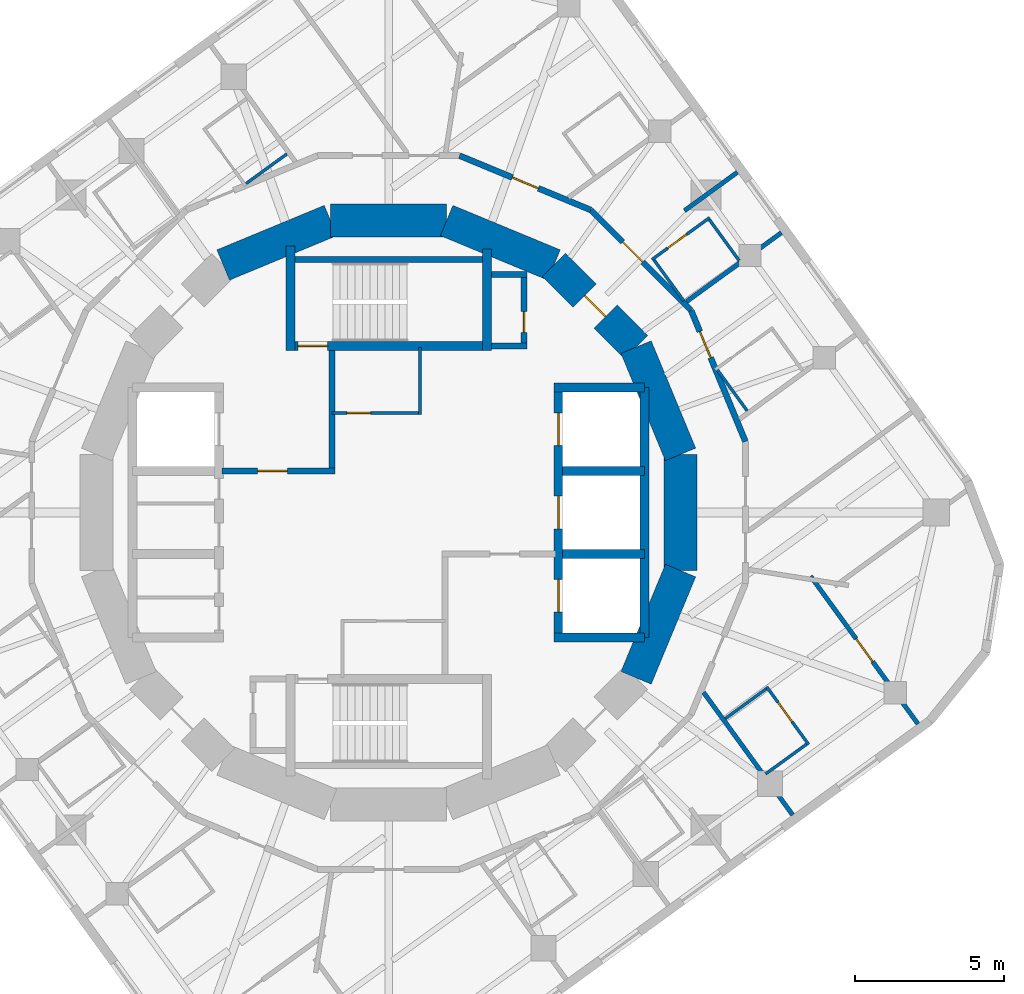
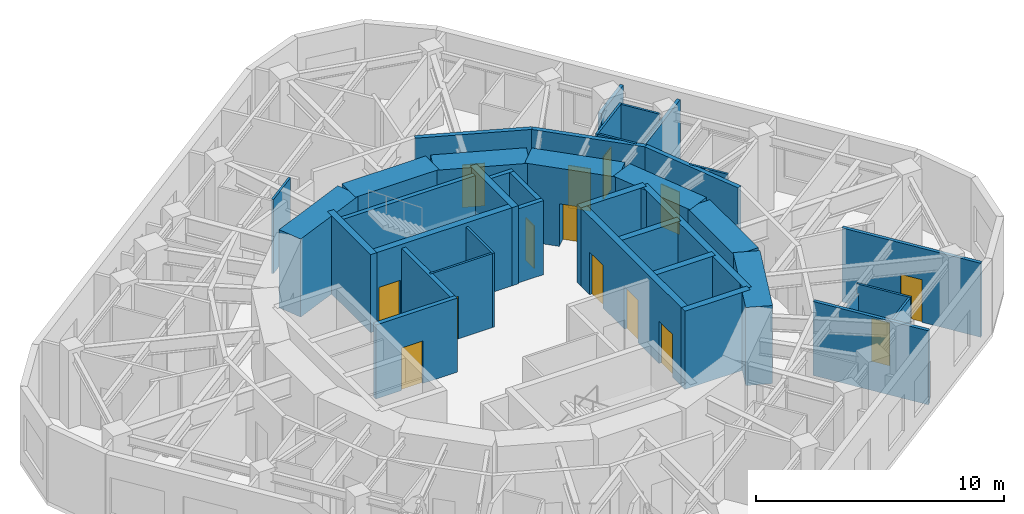
# One storey, part 6 of 9: 39 walls, 14 doors, 14 openings.
"""IFC4 building model written with IfcOpenShell, lengths in metres."""

from ifc_helpers import new_model, si_unit, direction, frame, frame_2d, origin, place, context, subcontext, project, spatial, rectangle, extrude, material, layer, layer_set, type_object, element, fill, save


model = new_model("IFC4")

# Units and contexts
model_context = context("Model", 3, precision=1e-05, world=origin(), true_north=direction((0.0, 1.0)))
body_context = subcontext(model_context, "Body", "Model", "MODEL_VIEW")
ifc_project = project(units=[si_unit("LENGTHUNIT", "METRE"), si_unit("AREAUNIT", "SQUARE_METRE"), si_unit("VOLUMEUNIT", "CUBIC_METRE"), si_unit("PLANEANGLEUNIT", "RADIAN"), si_unit("MASSUNIT", "GRAM", prefix="KILO")], contexts=[model_context])

# Site, building, storey
site_placement = place(None, origin())
site = spatial("IfcSite", under=ifc_project, at=site_placement, CompositionType="ELEMENT")
building_placement = place(site_placement, origin())
building = spatial("IfcBuilding", under=site, at=building_placement, Name="Nakasero Lantern House", CompositionType="ELEMENT")
storey_placement = place(building_placement, frame((0.0, 0.0, 283.0)))
storey = spatial("IfcBuildingStorey", under=building, at=storey_placement, Name="L69", CompositionType="ELEMENT", Elevation=283.0)

# Wall, openings, doors
ifc_material_1 = material(Name="Concrete C50/60", Category="concrete")
ifc_layer_1 = layer(ifc_material_1, 0.300048828125)
ifc_layer_set_1 = layer_set([ifc_layer_1], Name="Core inner wall 300")
wall_type_1 = type_object("IfcWallType", Name="Core inner wall 300", PredefinedType="SHEAR", material=ifc_layer_set_1)
wall_1_placement = place(storey_placement, frame((5.699951171875, -4.199951171875, 0.0), z_axis=(0.0, 0.0, 1.0), x_axis=(0.0, 1.0, 0.0)))
wall_1 = element("IfcWall", 1, at=wall_1_placement, inside=storey, type_object=wall_type_1, Name="Core inner wall L69 LE", PredefinedType="SHEAR", context=body_context, shape_type="SweptSolid", body=[
    extrude(rectangle(XDim=8.39990234375, YDim=0.300048828125, at=frame_2d((4.199951171875, 0.0))), origin(), (0.0, 0.0, 1.0), 3.85009765625),
])
opening_1_placement = place(wall_1_placement, frame((0.85009765625, 0.0, 0.0)))
opening_1 = element("IfcOpeningElement", 2, at=opening_1_placement, cuts=wall_1, Name="Opening LD", PredefinedType="OPENING", context=body_context, shape_type="SweptSolid", body=[
    extrude(rectangle(XDim=1.10009765625, YDim=2.10009765625, at=frame_2d((0.550048828125, 1.050048828125))), frame((0.0, 0.169921875, 0.0), z_axis=(0.0, -1.0, 0.0), x_axis=(1.0, 0.0, 0.0)), (0.0, 0.0, 1.0), 0.340087890625),
])
opening_2_placement = place(wall_1_placement, frame((3.64990234375, 0.0, 0.0)))
opening_2 = element("IfcOpeningElement", 3, at=opening_2_placement, cuts=wall_1, Name="Opening LD", PredefinedType="OPENING", context=body_context, shape_type="SweptSolid", body=[
    extrude(rectangle(XDim=1.10009765625, YDim=2.10009765625, at=frame_2d((0.550048828125, 1.050048828125))), frame((0.0, 0.169921875, 0.0), z_axis=(0.0, -1.0, 0.0), x_axis=(1.0, 0.0, 0.0)), (0.0, 0.0, 1.0), 0.340087890625),
])
opening_3_placement = place(wall_1_placement, frame((6.449951171875, 0.0, 0.0)))
opening_3 = element("IfcOpeningElement", 4, at=opening_3_placement, cuts=wall_1, Name="Opening LD", PredefinedType="OPENING", context=body_context, shape_type="SweptSolid", body=[
    extrude(rectangle(XDim=1.10009765625, YDim=2.10009765625, at=frame_2d((0.550048828125, 1.050048828125))), frame((0.0, 0.169921875, 0.0), z_axis=(0.0, -1.0, 0.0), x_axis=(1.0, 0.0, 0.0)), (0.0, 0.0, 1.0), 0.340087890625),
])
ifc_material_2 = material(Name="Steel S355", Category="steel")
door_type_1 = type_object("IfcDoorType", Name="Lift landing door E120 1100", OperationType="SLIDING_TO_LEFT", PredefinedType="DOOR", material=ifc_material_2)
door_1_placement = place(opening_1_placement, origin())
door_1 = element("IfcDoor", 5, at=door_1_placement, inside=storey, type_object=door_type_1, Name="Lift landing door LE1", OperationType="SLIDING_TO_LEFT", OverallHeight=2.10009765625, OverallWidth=1.10009765625, PredefinedType="DOOR", context=body_context, shape_type="SweptSolid", body=[
    extrude(rectangle(XDim=1.10009765625, YDim=2.10009765625, at=frame_2d((0.550048828125, 1.050048828125))), frame((0.0, 0.02490234375, 0.0), z_axis=(0.0, -1.0, 0.0), x_axis=(1.0, 0.0, 0.0)), (0.0, 0.0, 1.0), 0.050048828125),
])
fill(opening_1, door_1)
door_2_placement = place(opening_2_placement, origin())
door_2 = element("IfcDoor", 6, at=door_2_placement, inside=storey, type_object=door_type_1, Name="Lift landing door LE2", OperationType="SLIDING_TO_LEFT", OverallHeight=2.10009765625, OverallWidth=1.10009765625, PredefinedType="DOOR", context=body_context, shape_type="SweptSolid", body=[
    extrude(rectangle(XDim=1.10009765625, YDim=2.10009765625, at=frame_2d((0.550048828125, 1.050048828125))), frame((0.0, 0.02490234375, 0.0), z_axis=(0.0, -1.0, 0.0), x_axis=(1.0, 0.0, 0.0)), (0.0, 0.0, 1.0), 0.050048828125),
])
fill(opening_2, door_2)
door_3_placement = place(opening_3_placement, origin())
door_3 = element("IfcDoor", 7, at=door_3_placement, inside=storey, type_object=door_type_1, Name="Lift landing door LE3", OperationType="SLIDING_TO_LEFT", OverallHeight=2.10009765625, OverallWidth=1.10009765625, PredefinedType="DOOR", context=body_context, shape_type="SweptSolid", body=[
    extrude(rectangle(XDim=1.10009765625, YDim=2.10009765625, at=frame_2d((0.550048828125, 1.050048828125))), frame((0.0, 0.02490234375, 0.0), z_axis=(0.0, -1.0, 0.0), x_axis=(1.0, 0.0, 0.0)), (0.0, 0.0, 1.0), 0.050048828125),
])
fill(opening_3, door_3)

# Walls
for number, where, z_axis, x_axis, name in (
    (8, (5.550048828125, 4.199951171875, 0.0), (0.0, 0.0, 1.0), (1.0, 0.0, 0.0), "Core inner wall L69 LEN"),
    (9, (5.550048828125, -4.199951171875, 0.0), (0.0, 0.0, 1.0), (1.0, 0.0, 0.0), "Core inner wall L69 LES"),
):
    element("IfcWall", number, at=place(storey_placement, frame(where, z_axis=z_axis, x_axis=x_axis)), inside=storey, type_object=wall_type_1, Name=name, PredefinedType="SHEAR", context=body_context, shape_type="SweptSolid", body=[
        extrude(rectangle(XDim=3.050048828125, YDim=0.300048828125, at=frame_2d((1.52490234375, 0.0))), origin(), (0.0, 0.0, 1.0), 3.85009765625),
    ])
wall_2_placement = place(storey_placement, frame((8.60009765625, -4.199951171875, 0.0), z_axis=(0.0, 0.0, 1.0), x_axis=(0.0, 1.0, 0.0)))
element("IfcWall", 10, at=wall_2_placement, inside=storey, type_object=wall_type_1, Name="Core inner wall L69 LEB", PredefinedType="SHEAR", context=body_context, shape_type="SweptSolid", body=[
    extrude(rectangle(XDim=8.39990234375, YDim=0.300048828125, at=frame_2d((4.199951171875, 0.0))), origin(), (0.0, 0.0, 1.0), 3.85009765625),
])
for number, where, z_axis, x_axis, name in (
    (11, (5.85009765625, -1.39990234375, 0.0), (0.0, 0.0, 1.0), (1.0, 0.0, 0.0), "Core inner wall L69 LE1"),
    (12, (5.85009765625, 1.39990234375, 0.0), (0.0, 0.0, 1.0), (1.0, 0.0, 0.0), "Core inner wall L69 LE2"),
):
    element("IfcWall", number, at=place(storey_placement, frame(where, z_axis=z_axis, x_axis=x_axis)), inside=storey, type_object=wall_type_1, Name=name, PredefinedType="SHEAR", context=body_context, shape_type="SweptSolid", body=[
        extrude(rectangle(XDim=2.75, YDim=0.300048828125, at=frame_2d((1.375, 0.0))), origin(), (0.0, 0.0, 1.0), 3.85009765625),
    ])

# Wall, opening, door
wall_3_placement = place(storey_placement, frame((-3.449951171875, 5.60009765625, 0.0), z_axis=(0.0, 0.0, 1.0), x_axis=(1.0, 0.0, 0.0)))
wall_3 = element("IfcWall", 13, at=wall_3_placement, inside=storey, type_object=wall_type_1, Name="Core inner wall L69 SN", PredefinedType="SHEAR", context=body_context, shape_type="SweptSolid", body=[
    extrude(rectangle(XDim=6.89990234375, YDim=0.300048828125, at=frame_2d((3.449951171875, 0.0))), origin(), (0.0, 0.0, 1.0), 3.85009765625),
])
opening_4_placement = place(wall_3_placement, frame((0.39990234375, 0.0, 0.0)))
opening_4 = element("IfcOpeningElement", 14, at=opening_4_placement, cuts=wall_3, Name="Opening D05", PredefinedType="OPENING", context=body_context, shape_type="SweptSolid", body=[
    extrude(rectangle(XDim=1.0, YDim=2.10009765625, at=frame_2d((0.5, 1.050048828125))), frame((0.0, 0.169921875, 0.0), z_axis=(0.0, -1.0, 0.0), x_axis=(1.0, 0.0, 0.0)), (0.0, 0.0, 1.0), 0.340087890625),
])
ifc_material_3 = material(Name="Timber C24", Category="wood")
door_type_2 = type_object("IfcDoorType", Name="Core door FD60S 1000", OperationType="SINGLE_SWING_LEFT", PredefinedType="DOOR", material=ifc_material_3)
door_4_placement = place(opening_4_placement, origin())
door_4 = element("IfcDoor", 15, at=door_4_placement, inside=storey, type_object=door_type_2, Name="Door L69 D-ST1", OperationType="SINGLE_SWING_LEFT", OverallHeight=2.10009765625, OverallWidth=1.0, PredefinedType="DOOR", context=body_context, shape_type="SweptSolid", body=[
    extrude(rectangle(XDim=1.0, YDim=2.10009765625, at=frame_2d((0.5, 1.050048828125))), frame((0.0, 0.02490234375, 0.0), z_axis=(0.0, -1.0, 0.0), x_axis=(1.0, 0.0, 0.0)), (0.0, 0.0, 1.0), 0.050048828125),
])
fill(opening_4, door_4)

# Walls
wall_4_placement = place(storey_placement, frame((-3.300048828125, 5.449951171875, 0.0), z_axis=(0.0, 0.0, 1.0), x_axis=(0.0, 1.0, 0.0)))
element("IfcWall", 16, at=wall_4_placement, inside=storey, type_object=wall_type_1, Name="Core inner wall L69 SNW", PredefinedType="SHEAR", context=body_context, shape_type="SweptSolid", body=[
    extrude(rectangle(XDim=3.5, YDim=0.300048828125, at=frame_2d((1.75, 0.0))), origin(), (0.0, 0.0, 1.0), 3.85009765625),
])
wall_5_placement = place(storey_placement, frame((3.300048828125, 5.449951171875, 0.0), z_axis=(0.0, 0.0, 1.0), x_axis=(0.0, 1.0, 0.0)))
element("IfcWall", 17, at=wall_5_placement, inside=storey, type_object=wall_type_1, Name="Core inner wall L69 SNE", PredefinedType="SHEAR", context=body_context, shape_type="SweptSolid", body=[
    extrude(rectangle(XDim=3.400146484375, YDim=0.300048828125, at=frame_2d((1.7001953125, 0.0))), origin(), (0.0, 0.0, 1.0), 3.85009765625),
])

# Wall, opening, door
ifc_material_4 = material(Name="Blockwork", Category="masonry")
ifc_layer_2 = layer(ifc_material_4, 0.10009765625)
ifc_layer_set_2 = layer_set([ifc_layer_2], Name="Core room wall 100")
wall_type_2 = type_object("IfcWallType", Name="Core room wall 100", PredefinedType="PARTITIONING", material=ifc_layer_set_2)
wall_6_placement = place(storey_placement, frame((-1.89990234375, 3.35009765625, 0.0), z_axis=(0.0, 0.0, 1.0), x_axis=(1.0, 0.0, 0.0)))
wall_6 = element("IfcWall", 18, at=wall_6_placement, inside=storey, type_object=wall_type_2, Name="Core room wall L69 CR-NES", PredefinedType="PARTITIONING", context=body_context, shape_type="SweptSolid", body=[
    extrude(rectangle(XDim=3.0, YDim=0.10009765625, at=frame_2d((1.5, 0.0))), origin(), (0.0, 0.0, 1.0), 3.64990234375),
])
opening_5_placement = place(wall_6_placement, frame((0.5, 0.0, 0.0)))
opening_5 = element("IfcOpeningElement", 19, at=opening_5_placement, cuts=wall_6, Name="Opening D15", PredefinedType="OPENING", context=body_context, shape_type="SweptSolid", body=[
    extrude(rectangle(XDim=0.800048828125, YDim=2.10009765625, at=frame_2d((0.39990234375, 1.050048828125))), frame((0.0, 0.070068359375, 0.0), z_axis=(0.0, -1.0, 0.0), x_axis=(1.0, 0.0, 0.0)), (0.0, 0.0, 1.0), 0.14013671875),
])
ifc_material_5 = material(Name="Timber C24", Category="wood")
door_type_3 = type_object("IfcDoorType", Name="Cleaner's store door FD30S 800", OperationType="SINGLE_SWING_LEFT", PredefinedType="DOOR", material=ifc_material_5)
door_5_placement = place(opening_5_placement, origin())
door_5 = element("IfcDoor", 20, at=door_5_placement, inside=storey, type_object=door_type_3, Name="Door L69 D-CR-NE", OperationType="SINGLE_SWING_LEFT", OverallHeight=2.10009765625, OverallWidth=0.800048828125, PredefinedType="DOOR", context=body_context, shape_type="SweptSolid", body=[
    extrude(rectangle(XDim=0.800048828125, YDim=2.10009765625, at=frame_2d((0.39990234375, 1.050048828125))), frame((0.0, 0.02490234375, 0.0), z_axis=(0.0, -1.0, 0.0), x_axis=(1.0, 0.0, 0.0)), (0.0, 0.0, 1.0), 0.050048828125),
])
fill(opening_5, door_5)

# Walls
wall_7_placement = place(storey_placement, frame((1.050048828125, 3.300048828125, 0.0), z_axis=(0.0, 0.0, 1.0), x_axis=(0.0, 1.0, 0.0)))
element("IfcWall", 21, at=wall_7_placement, inside=storey, type_object=wall_type_2, Name="Core room wall L69 CR-NEE", PredefinedType="PARTITIONING", context=body_context, shape_type="SweptSolid", body=[
    extrude(rectangle(XDim=2.25, YDim=0.10009765625, at=frame_2d((1.125, 0.0))), origin(), (0.0, 0.0, 1.0), 3.64990234375),
])
ifc_material_6 = material(Name="Concrete C50/60", Category="concrete")
ifc_layer_3 = layer(ifc_material_6, 1.10009765625)
ifc_layer_set_3 = layer_set([ifc_layer_3], Name="Core wall 1100")
wall_type_3 = type_object("IfcWallType", Name="Core wall 1100", PredefinedType="SHEAR", material=ifc_layer_set_3)
wall_8_placement = place(storey_placement, frame((9.807861328125, 1.950927734375, 0.0), z_axis=(0.0, 0.0, 1.0), x_axis=(-0.382690736062, 0.923876507187, 0.0)))
element("IfcWall", 22, at=wall_8_placement, inside=storey, type_object=wall_type_3, Name="Core wall L69 facet 1", PredefinedType="SHEAR", context=body_context, shape_type="SweptSolid", body=[
    extrude(rectangle(XDim=3.90185546875, YDim=1.10009765625, at=frame_2d((1.950927734375, 0.0))), origin(), (0.0, 0.0, 1.0), 3.85009765625),
])

# Wall, opening, door
wall_9_placement = place(storey_placement, frame((8.314697265625, 5.5556640625, 0.0), z_axis=(0.0, 0.0, 1.0), x_axis=(-0.707106781187, 0.707106781187, 0.0)))
wall_9 = element("IfcWall", 23, at=wall_9_placement, inside=storey, type_object=wall_type_3, Name="Core wall L69 facet 2", PredefinedType="SHEAR", context=body_context, shape_type="SweptSolid", body=[
    extrude(rectangle(XDim=3.90185546875, YDim=1.10009765625, at=frame_2d((1.950927734375, 0.0))), origin(), (0.0, 0.0, 1.0), 3.85009765625),
])
opening_6_placement = place(wall_9_placement, frame((1.450927734375, 0.0, 0.0)))
opening_6 = element("IfcOpeningElement", 24, at=opening_6_placement, cuts=wall_9, Name="Opening D05", PredefinedType="OPENING", context=body_context, shape_type="SweptSolid", body=[
    extrude(rectangle(XDim=1.0, YDim=2.10009765625, at=frame_2d((0.5, 1.050048828125))), frame((0.0, 0.570068359375, 0.0), z_axis=(0.0, -1.0, 0.0), x_axis=(1.0, 0.0, 0.0)), (0.0, 0.0, 1.0), 1.14013671875),
])
door_6_placement = place(opening_6_placement, origin())
door_6 = element("IfcDoor", 25, at=door_6_placement, inside=storey, type_object=door_type_2, Name="Door L69 D-CORE02", OperationType="SINGLE_SWING_LEFT", OverallHeight=2.10009765625, OverallWidth=1.0, PredefinedType="DOOR", context=body_context, shape_type="SweptSolid", body=[
    extrude(rectangle(XDim=1.0, YDim=2.10009765625, at=frame_2d((0.5, 1.050048828125))), frame((0.0, 0.02490234375, 0.0), z_axis=(0.0, -1.0, 0.0), x_axis=(1.0, 0.0, 0.0)), (0.0, 0.0, 1.0), 0.050048828125),
])
fill(opening_6, door_6)

# Walls
for number, where, z_axis, x_axis, name in (
    (26, (5.5556640625, 8.314697265625, 0.0), (0.0, 0.0, 1.0), (-0.923876507187, 0.382690736062, 0.0), "Core wall L69 facet 3"),
    (27, (1.950927734375, 9.807861328125, 0.0), (0.0, 0.0, 1.0), (-1.0, 0.0, 0.0), "Core wall L69 facet 4"),
    (28, (-1.950927734375, 9.807861328125, 0.0), (0.0, 0.0, 1.0), (-0.923876507187, -0.382690736062, 0.0), "Core wall L69 facet 5"),
    (29, (8.314697265625, -5.5556640625, 0.0), (0.0, 0.0, 1.0), (0.382690736062, 0.923876507187, 0.0), "Core wall L69 facet 15"),
    (30, (9.807861328125, -1.950927734375, 0.0), (0.0, 0.0, 1.0), (0.0, 1.0, 0.0), "Core wall L69 facet 16"),
):
    element("IfcWall", number, at=place(storey_placement, frame(where, z_axis=z_axis, x_axis=x_axis)), inside=storey, type_object=wall_type_3, Name=name, PredefinedType="SHEAR", context=body_context, shape_type="SweptSolid", body=[
        extrude(rectangle(XDim=3.90185546875, YDim=1.10009765625, at=frame_2d((1.950927734375, 0.0))), origin(), (0.0, 0.0, 1.0), 3.85009765625),
    ])

# Wall, opening, door
ifc_material_7 = material(Name="Blockwork", Category="masonry")
ifc_layer_4 = layer(ifc_material_7, 0.199951171875)
ifc_layer_set_4 = layer_set([ifc_layer_4], Name="Corridor wall 200")
wall_type_4 = type_object("IfcWallType", Name="Corridor wall 200", PredefinedType="PARTITIONING", material=ifc_layer_set_4)
wall_10_placement = place(storey_placement, frame((2.384521484375, 11.98779296875, 0.0), z_axis=(0.0, 0.0, 1.0), x_axis=(0.923885182372, -0.382669792111, 0.0)))
wall_10 = element("IfcWall", 31, at=wall_10_placement, inside=storey, type_object=wall_type_4, Name="Corridor wall L69 RC13a", PredefinedType="PARTITIONING", context=body_context, shape_type="SweptSolid", body=[
    extrude(rectangle(XDim=4.76904296875, YDim=0.199951171875, at=frame_2d((2.384521484375, 0.0))), origin(), (0.0, 0.0, 1.0), 3.64990234375),
])
opening_7_placement = place(wall_10_placement, frame((1.919921875, 0.0, 0.0)))
opening_7 = element("IfcOpeningElement", 32, at=opening_7_placement, cuts=wall_10, Name="Opening D01", PredefinedType="OPENING", context=body_context, shape_type="SweptSolid", body=[
    extrude(rectangle(XDim=0.949951171875, YDim=2.10009765625, at=frame_2d((0.47509765625, 1.050048828125))), frame((0.0, 0.119873046875, 0.0), z_axis=(0.0, -1.0, 0.0), x_axis=(1.0, 0.0, 0.0)), (0.0, 0.0, 1.0), 0.239990234375),
])
ifc_material_8 = material(Name="Timber C24", Category="wood")
door_type_4 = type_object("IfcDoorType", Name="Bedroom door FD30S 950", OperationType="SINGLE_SWING_LEFT", PredefinedType="DOOR", material=ifc_material_8)
door_7_placement = place(opening_7_placement, origin())
door_7 = element("IfcDoor", 33, at=door_7_placement, inside=storey, type_object=door_type_4, Name="Door L69 D0-06", OperationType="SINGLE_SWING_RIGHT", OverallHeight=2.10009765625, OverallWidth=0.949951171875, PredefinedType="DOOR", context=body_context, shape_type="SweptSolid", body=[
    extrude(rectangle(XDim=0.949951171875, YDim=2.10009765625, at=frame_2d((0.47509765625, 1.050048828125))), frame((0.0, 0.02490234375, 0.0), z_axis=(0.0, -1.0, 0.0), x_axis=(1.0, 0.0, 0.0)), (0.0, 0.0, 1.0), 0.050048828125),
])
fill(opening_7, door_7)

wall_11_placement = place(storey_placement, frame((6.79052734375, 10.162841796875, 0.0), z_axis=(0.0, 0.0, 1.0), x_axis=(0.707106781187, -0.707106781187, 0.0)))
wall_11 = element("IfcWall", 34, at=wall_11_placement, inside=storey, type_object=wall_type_4, Name="Corridor wall L69 RC14a", PredefinedType="PARTITIONING", context=body_context, shape_type="SweptSolid", body=[
    extrude(rectangle(XDim=4.769287109375, YDim=0.199951171875, at=frame_2d((2.384765625, 0.0))), origin(), (0.0, 0.0, 1.0), 3.64990234375),
])
opening_8_placement = place(wall_11_placement, frame((1.52001953125, 0.0, 0.0)))
opening_8 = element("IfcOpeningElement", 35, at=opening_8_placement, cuts=wall_11, Name="Opening D01", PredefinedType="OPENING", context=body_context, shape_type="SweptSolid", body=[
    extrude(rectangle(XDim=0.949951171875, YDim=2.10009765625, at=frame_2d((0.47509765625, 1.050048828125))), frame((0.0, 0.119873046875, 0.0), z_axis=(0.0, -1.0, 0.0), x_axis=(1.0, 0.0, 0.0)), (0.0, 0.0, 1.0), 0.239990234375),
])
door_8_placement = place(opening_8_placement, origin())
door_8 = element("IfcDoor", 36, at=door_8_placement, inside=storey, type_object=door_type_4, Name="Door L69 D0-04", OperationType="SINGLE_SWING_LEFT", OverallHeight=2.10009765625, OverallWidth=0.949951171875, PredefinedType="DOOR", context=body_context, shape_type="SweptSolid", body=[
    extrude(rectangle(XDim=0.949951171875, YDim=2.10009765625, at=frame_2d((0.47509765625, 1.050048828125))), frame((0.0, 0.02490234375, 0.0), z_axis=(0.0, -1.0, 0.0), x_axis=(1.0, 0.0, 0.0)), (0.0, 0.0, 1.0), 0.050048828125),
])
fill(opening_8, door_8)

wall_12_placement = place(storey_placement, frame((10.162841796875, 6.79052734375, 0.0), z_axis=(0.0, 0.0, 1.0), x_axis=(0.382669792111, -0.923885182372, 0.0)))
wall_12 = element("IfcWall", 37, at=wall_12_placement, inside=storey, type_object=wall_type_4, Name="Corridor wall L69 RC15a", PredefinedType="PARTITIONING", context=body_context, shape_type="SweptSolid", body=[
    extrude(rectangle(XDim=4.76904296875, YDim=0.199951171875, at=frame_2d((2.384521484375, 0.0))), origin(), (0.0, 0.0, 1.0), 3.64990234375),
])
opening_9_placement = place(wall_12_placement, frame((0.77001953125, 0.0, 0.0)))
opening_9 = element("IfcOpeningElement", 38, at=opening_9_placement, cuts=wall_12, Name="Opening D01", PredefinedType="OPENING", context=body_context, shape_type="SweptSolid", body=[
    extrude(rectangle(XDim=0.949951171875, YDim=2.10009765625, at=frame_2d((0.47509765625, 1.050048828125))), frame((0.0, 0.119873046875, 0.0), z_axis=(0.0, -1.0, 0.0), x_axis=(1.0, 0.0, 0.0)), (0.0, 0.0, 1.0), 0.239990234375),
])
door_9_placement = place(opening_9_placement, origin())
door_9 = element("IfcDoor", 39, at=door_9_placement, inside=storey, type_object=door_type_4, Name="Door L69 D0-03", OperationType="SINGLE_SWING_LEFT", OverallHeight=2.10009765625, OverallWidth=0.949951171875, PredefinedType="DOOR", context=body_context, shape_type="SweptSolid", body=[
    extrude(rectangle(XDim=0.949951171875, YDim=2.10009765625, at=frame_2d((0.47509765625, 1.050048828125))), frame((0.0, 0.02490234375, 0.0), z_axis=(0.0, -1.0, 0.0), x_axis=(1.0, 0.0, 0.0)), (0.0, 0.0, 1.0), 0.050048828125),
])
fill(opening_9, door_9)

# Wall
ifc_material_9 = material(Name="Blockwork", Category="masonry")
ifc_layer_5 = layer(ifc_material_9, 0.10009765625)
ifc_layer_set_5 = layer_set([ifc_layer_5], Name="En-suite wall 100")
wall_type_5 = type_object("IfcWallType", Name="En-suite wall 100", PredefinedType="PARTITIONING", material=ifc_layer_set_5)
wall_13_placement = place(storey_placement, frame((12.046142578125, 3.414794921875, 0.0), z_axis=(0.0, 0.0, 1.0), x_axis=(-0.587659235066, 0.809108536256, 0.0)))
element("IfcWall", 40, at=wall_13_placement, inside=storey, type_object=wall_type_5, Name="En-suite wall L69 EI0-03", PredefinedType="PARTITIONING", context=body_context, shape_type="SweptSolid", body=[
    extrude(rectangle(XDim=1.699951171875, YDim=0.10009765625, at=frame_2d((0.85009765625, 0.0))), origin(), (0.0, 0.0, 1.0), 3.64990234375),
])

# Wall, opening, door
wall_14_placement = place(storey_placement, frame((8.846435546875, 8.495849609375, 0.0), z_axis=(0.0, 0.0, 1.0), x_axis=(0.809026317077, 0.587772420479, 0.0)))
wall_14 = element("IfcWall", 41, at=wall_14_placement, inside=storey, type_object=wall_type_5, Name="En-suite wall L69 ES0-04", PredefinedType="PARTITIONING", context=body_context, shape_type="SweptSolid", body=[
    extrude(rectangle(XDim=2.39990234375, YDim=0.10009765625, at=frame_2d((1.199951171875, 0.0))), origin(), (0.0, 0.0, 1.0), 3.64990234375),
])
opening_10_placement = place(wall_14_placement, frame((0.64990234375, 0.0, 0.0)))
opening_10 = element("IfcOpeningElement", 42, at=opening_10_placement, cuts=wall_14, Name="Opening D02", PredefinedType="OPENING", context=body_context, shape_type="SweptSolid", body=[
    extrude(rectangle(XDim=0.800048828125, YDim=2.10009765625, at=frame_2d((0.39990234375, 1.050048828125))), frame((0.0, 0.070068359375, 0.0), z_axis=(0.0, -1.0, 0.0), x_axis=(1.0, 0.0, 0.0)), (0.0, 0.0, 1.0), 0.14013671875),
])
ifc_material_10 = material(Name="Timber C24", Category="wood")
door_type_5 = type_object("IfcDoorType", Name="En-suite door 800", OperationType="SINGLE_SWING_RIGHT", PredefinedType="DOOR", material=ifc_material_10)
door_10_placement = place(opening_10_placement, origin())
door_10 = element("IfcDoor", 43, at=door_10_placement, inside=storey, type_object=door_type_5, Name="Door L69 DE0-04", OperationType="SINGLE_SWING_LEFT", OverallHeight=2.10009765625, OverallWidth=0.800048828125, PredefinedType="DOOR", context=body_context, shape_type="SweptSolid", body=[
    extrude(rectangle(XDim=0.800048828125, YDim=2.10009765625, at=frame_2d((0.39990234375, 1.050048828125))), frame((0.0, 0.02490234375, 0.0), z_axis=(0.0, -1.0, 0.0), x_axis=(1.0, 0.0, 0.0)), (0.0, 0.0, 1.0), 0.050048828125),
])
fill(opening_10, door_10)

# Walls
wall_15_placement = place(storey_placement, frame((11.7763671875, 8.461181640625, 0.0), z_axis=(0.0, 0.0, 1.0), x_axis=(-0.58775323954, 0.809040252033, 0.0)))
element("IfcWall", 44, at=wall_15_placement, inside=storey, type_object=wall_type_5, Name="En-suite wall L69 EE0-04", PredefinedType="PARTITIONING", context=body_context, shape_type="SweptSolid", body=[
    extrude(rectangle(XDim=1.7001953125, YDim=0.10009765625, at=frame_2d((0.85009765625, 0.0))), origin(), (0.0, 0.0, 1.0), 3.64990234375),
])
for number, where, z_axis, x_axis, name in (
    (45, (9.91552734375, 7.109375, 0.0), (0.0, 0.0, 1.0), (-0.587821529301, 0.808990636343, 0.0), "En-suite wall L69 EI0-04"),
    (46, (-3.414794921875, 12.046142578125, 0.0), (0.0, 0.0, 1.0), (-0.809108536256, -0.587659235066, 0.0), "En-suite wall L69 EI1-03"),
):
    element("IfcWall", number, at=place(storey_placement, frame(where, z_axis=z_axis, x_axis=x_axis)), inside=storey, type_object=wall_type_5, Name=name, PredefinedType="PARTITIONING", context=body_context, shape_type="SweptSolid", body=[
        extrude(rectangle(XDim=1.699951171875, YDim=0.10009765625, at=frame_2d((0.85009765625, 0.0))), origin(), (0.0, 0.0, 1.0), 3.64990234375),
    ])

# Wall, opening, door
wall_16_placement = place(storey_placement, frame((12.7001953125, -5.852783203125, 0.0), z_axis=(0.0, 0.0, 1.0), x_axis=(0.587772420479, -0.809026317077, 0.0)))
wall_16 = element("IfcWall", 47, at=wall_16_placement, inside=storey, type_object=wall_type_5, Name="En-suite wall L69 ES3-06", PredefinedType="PARTITIONING", context=body_context, shape_type="SweptSolid", body=[
    extrude(rectangle(XDim=2.39990234375, YDim=0.10009765625, at=frame_2d((1.199951171875, 0.0))), origin(), (0.0, 0.0, 1.0), 3.64990234375),
])
opening_11_placement = place(wall_16_placement, frame((0.64990234375, 0.0, 0.0)))
opening_11 = element("IfcOpeningElement", 48, at=opening_11_placement, cuts=wall_16, Name="Opening D02", PredefinedType="OPENING", context=body_context, shape_type="SweptSolid", body=[
    extrude(rectangle(XDim=0.800048828125, YDim=2.10009765625, at=frame_2d((0.39990234375, 1.050048828125))), frame((0.0, 0.070068359375, 0.0), z_axis=(0.0, -1.0, 0.0), x_axis=(1.0, 0.0, 0.0)), (0.0, 0.0, 1.0), 0.14013671875),
])
door_11_placement = place(opening_11_placement, origin())
door_11 = element("IfcDoor", 49, at=door_11_placement, inside=storey, type_object=door_type_5, Name="Door L69 DE3-06", OperationType="SINGLE_SWING_LEFT", OverallHeight=2.10009765625, OverallWidth=0.800048828125, PredefinedType="DOOR", context=body_context, shape_type="SweptSolid", body=[
    extrude(rectangle(XDim=0.800048828125, YDim=2.10009765625, at=frame_2d((0.39990234375, 1.050048828125))), frame((0.0, 0.02490234375, 0.0), z_axis=(0.0, -1.0, 0.0), x_axis=(1.0, 0.0, 0.0)), (0.0, 0.0, 1.0), 0.050048828125),
])
fill(opening_11, door_11)

# Walls
wall_17_placement = place(storey_placement, frame((12.665771484375, -8.78271484375, 0.0), z_axis=(0.0, 0.0, 1.0), x_axis=(0.808990636343, 0.587821529301, 0.0)))
element("IfcWall", 50, at=wall_17_placement, inside=storey, type_object=wall_type_5, Name="En-suite wall L69 EE3-06", PredefinedType="PARTITIONING", context=body_context, shape_type="SweptSolid", body=[
    extrude(rectangle(XDim=1.699951171875, YDim=0.10009765625, at=frame_2d((0.85009765625, 0.0))), origin(), (0.0, 0.0, 1.0), 3.64990234375),
])
wall_18_placement = place(storey_placement, frame((11.313720703125, -6.921875, 0.0), z_axis=(0.0, 0.0, 1.0), x_axis=(0.809040252033, 0.58775323954, 0.0)))
element("IfcWall", 51, at=wall_18_placement, inside=storey, type_object=wall_type_5, Name="En-suite wall L69 EI3-06", PredefinedType="PARTITIONING", context=body_context, shape_type="SweptSolid", body=[
    extrude(rectangle(XDim=1.7001953125, YDim=0.10009765625, at=frame_2d((0.85009765625, 0.0))), origin(), (0.0, 0.0, 1.0), 3.18994140625),
])

# Wall, opening, door
ifc_material_11 = material(Name="Blockwork", Category="masonry")
ifc_layer_6 = layer(ifc_material_11, 0.199951171875)
ifc_layer_set_6 = layer_set([ifc_layer_6], Name="Fire lobby wall 200")
wall_type_6 = type_object("IfcWallType", Name="Fire lobby wall 200", PredefinedType="PARTITIONING", material=ifc_layer_set_6)
wall_19_placement = place(storey_placement, frame((-5.60009765625, 1.39990234375, 0.0), z_axis=(0.0, 0.0, 1.0), x_axis=(1.0, 0.0, 0.0)))
wall_19 = element("IfcWall", 52, at=wall_19_placement, inside=storey, type_object=wall_type_6, Name="Fire lobby wall L69 W-FL1S", PredefinedType="PARTITIONING", context=body_context, shape_type="SweptSolid", body=[
    extrude(rectangle(XDim=3.800048828125, YDim=0.199951171875, at=frame_2d((1.89990234375, 0.0))), origin(), (0.0, 0.0, 1.0), 3.64990234375),
])
opening_12_placement = place(wall_19_placement, frame((1.199951171875, 0.0, 0.0)))
opening_12 = element("IfcOpeningElement", 53, at=opening_12_placement, cuts=wall_19, Name="Opening D05", PredefinedType="OPENING", context=body_context, shape_type="SweptSolid", body=[
    extrude(rectangle(XDim=1.0, YDim=2.10009765625, at=frame_2d((0.5, 1.050048828125))), frame((0.0, 0.119873046875, 0.0), z_axis=(0.0, -1.0, 0.0), x_axis=(1.0, 0.0, 0.0)), (0.0, 0.0, 1.0), 0.239990234375),
])
door_12_placement = place(opening_12_placement, origin())
door_12 = element("IfcDoor", 54, at=door_12_placement, inside=storey, type_object=door_type_2, Name="Door L69 D-FL1", OperationType="SINGLE_SWING_LEFT", OverallHeight=2.10009765625, OverallWidth=1.0, PredefinedType="DOOR", context=body_context, shape_type="SweptSolid", body=[
    extrude(rectangle(XDim=1.0, YDim=2.10009765625, at=frame_2d((0.5, 1.050048828125))), frame((0.0, 0.02490234375, 0.0), z_axis=(0.0, -1.0, 0.0), x_axis=(1.0, 0.0, 0.0)), (0.0, 0.0, 1.0), 0.050048828125),
])
fill(opening_12, door_12)

# Wall
wall_20_placement = place(storey_placement, frame((-1.89990234375, 1.5, 0.0), z_axis=(0.0, 0.0, 1.0), x_axis=(0.0, 1.0, 0.0)))
element("IfcWall", 55, at=wall_20_placement, inside=storey, type_object=wall_type_6, Name="Fire lobby wall L69 W-FL1E", PredefinedType="PARTITIONING", context=body_context, shape_type="SweptSolid", body=[
    extrude(rectangle(XDim=3.949951171875, YDim=0.199951171875, at=frame_2d((1.97509765625, 0.0))), origin(), (0.0, 0.0, 1.0), 3.64990234375),
])

# Wall, opening, door
wall_21_placement = place(storey_placement, frame((4.550048828125, 5.60009765625, 0.0), z_axis=(0.0, 0.0, 1.0), x_axis=(0.0, 1.0, 0.0)))
wall_21 = element("IfcWall", 56, at=wall_21_placement, inside=storey, type_object=wall_type_6, Name="Fire lobby wall L69 W-RS1E", PredefinedType="PARTITIONING", context=body_context, shape_type="SweptSolid", body=[
    extrude(rectangle(XDim=2.39990234375, YDim=0.199951171875, at=frame_2d((1.199951171875, 0.0))), origin(), (0.0, 0.0, 1.0), 3.64990234375),
])
opening_13_placement = place(wall_21_placement, frame((0.449951171875, 0.0, 0.0)))
opening_13 = element("IfcOpeningElement", 57, at=opening_13_placement, cuts=wall_21, Name="Opening D06", PredefinedType="OPENING", context=body_context, shape_type="SweptSolid", body=[
    extrude(rectangle(XDim=0.699951171875, YDim=2.10009765625, at=frame_2d((0.35009765625, 1.050048828125))), frame((0.0, 0.119873046875, 0.0), z_axis=(0.0, -1.0, 0.0), x_axis=(1.0, 0.0, 0.0)), (0.0, 0.0, 1.0), 0.239990234375),
])
ifc_material_12 = material(Name="Steel S355", Category="steel")
door_type_6 = type_object("IfcDoorType", Name="Riser door FD60 700", OperationType="SINGLE_SWING_LEFT", PredefinedType="DOOR", material=ifc_material_12)
door_13_placement = place(opening_13_placement, origin())
door_13 = element("IfcDoor", 58, at=door_13_placement, inside=storey, type_object=door_type_6, Name="Door L69 D-RS1", OperationType="SINGLE_SWING_LEFT", OverallHeight=2.10009765625, OverallWidth=0.699951171875, PredefinedType="DOOR", context=body_context, shape_type="SweptSolid", body=[
    extrude(rectangle(XDim=0.699951171875, YDim=2.10009765625, at=frame_2d((0.35009765625, 1.050048828125))), frame((0.0, 0.02490234375, 0.0), z_axis=(0.0, -1.0, 0.0), x_axis=(1.0, 0.0, 0.0)), (0.0, 0.0, 1.0), 0.050048828125),
])
fill(opening_13, door_13)

# Walls
for number, where, z_axis, x_axis, name in (
    (59, (3.449951171875, 8.0, 0.0), (0.0, 0.0, 1.0), (1.0, 0.0, 0.0), "Fire lobby wall L69 W-RS1N"),
    (60, (3.449951171875, 5.60009765625, 0.0), (0.0, 0.0, 1.0), (1.0, 0.0, 0.0), "Fire lobby wall L69 W-RS1S"),
):
    element("IfcWall", number, at=place(storey_placement, frame(where, z_axis=z_axis, x_axis=x_axis)), inside=storey, type_object=wall_type_6, Name=name, PredefinedType="PARTITIONING", context=body_context, shape_type="SweptSolid", body=[
        extrude(rectangle(XDim=1.199951171875, YDim=0.199951171875, at=frame_2d((0.60009765625, 0.0))), origin(), (0.0, 0.0, 1.0), 3.64990234375),
    ])
wall_22_placement = place(storey_placement, frame((-3.300048828125, 8.5, 0.0), z_axis=(0.0, 0.0, 1.0), x_axis=(1.0, 0.0, 0.0)))
element("IfcWall", 61, at=wall_22_placement, inside=storey, type_object=wall_type_6, Name="Fire lobby wall L69 W-STN", PredefinedType="PARTITIONING", context=body_context, shape_type="SweptSolid", body=[
    extrude(rectangle(XDim=6.60009765625, YDim=0.199951171875, at=frame_2d((3.300048828125, 0.0))), origin(), (0.0, 0.0, 1.0), 3.64990234375),
])
ifc_material_13 = material(Name="Blockwork", Category="masonry")
ifc_layer_7 = layer(ifc_material_13, 0.14990234375)
ifc_layer_set_7 = layer_set([ifc_layer_7], Name="Party wall 150")
wall_type_7 = type_object("IfcWallType", Name="Party wall 150", PredefinedType="PARTITIONING", material=ifc_layer_set_7)
wall_23_placement = place(storey_placement, frame((9.939208984375, 10.13818359375, 0.0), z_axis=(0.0, 0.0, 1.0), x_axis=(0.808990345923, 0.587821928992, 0.0)))
element("IfcWall", 62, at=wall_23_placement, inside=storey, type_object=wall_type_7, Name="Party wall L69 PN0-05", PredefinedType="PARTITIONING", context=body_context, shape_type="SweptSolid", body=[
    extrude(rectangle(XDim=2.199951171875, YDim=0.14990234375, at=frame_2d((1.10009765625, 0.0))), origin(), (0.0, 0.0, 1.0), 3.294921875),
])
wall_24_placement = place(storey_placement, frame((10.009765625, 7.085205078125, 0.0), z_axis=(0.0, 0.0, 1.0), x_axis=(0.809022902379, 0.587777120537, 0.0)))
element("IfcWall", 63, at=wall_24_placement, inside=storey, type_object=wall_type_7, Name="Party wall L69 PW0-04", PredefinedType="PARTITIONING", context=body_context, shape_type="SweptSolid", body=[
    extrude(rectangle(XDim=3.937255859375, YDim=0.14990234375, at=frame_2d((1.96875, 0.0))), origin(), (0.0, 0.0, 1.0), 3.294921875),
])
wall_25_placement = place(storey_placement, frame((10.581298828125, -6.04150390625, 0.0), z_axis=(0.0, 0.0, 1.0), x_axis=(0.587812495358, -0.808997200429, 0.0)))
element("IfcWall", 64, at=wall_25_placement, inside=storey, type_object=wall_type_7, Name="Party wall L69 PW3-06", PredefinedType="PARTITIONING", context=body_context, shape_type="SweptSolid", body=[
    extrude(rectangle(XDim=5.0927734375, YDim=0.14990234375, at=frame_2d((2.54638671875, 0.0))), origin(), (0.0, 0.0, 1.0), 3.64990234375),
])

# Wall, opening, door
wall_26_placement = place(storey_placement, frame((14.1767578125, -2.137939453125, 0.0), z_axis=(0.0, 0.0, 1.0), x_axis=(0.587774266883, -0.809024975628, 0.0)))
wall_26 = element("IfcWall", 65, at=wall_26_placement, inside=storey, type_object=wall_type_7, Name="Party wall L69 PW3-07", PredefinedType="PARTITIONING", context=body_context, shape_type="SweptSolid", body=[
    extrude(rectangle(XDim=6.137451171875, YDim=0.14990234375, at=frame_2d((3.06884765625, 0.0))), origin(), (0.0, 0.0, 1.0), 3.64990234375),
])
opening_14_placement = place(wall_26_placement, frame((2.60009765625, 0.0, 0.0)))
opening_14 = element("IfcOpeningElement", 66, at=opening_14_placement, cuts=wall_26, Name="Opening D01", PredefinedType="OPENING", context=body_context, shape_type="SweptSolid", body=[
    extrude(rectangle(XDim=0.949951171875, YDim=2.10009765625, at=frame_2d((0.47509765625, 1.050048828125))), frame((0.0, 0.094970703125, 0.0), z_axis=(0.0, -1.0, 0.0), x_axis=(1.0, 0.0, 0.0)), (0.0, 0.0, 1.0), 0.18994140625),
])
door_14_placement = place(opening_14_placement, origin())
door_14 = element("IfcDoor", 67, at=door_14_placement, inside=storey, type_object=door_type_4, Name="Door L69 DC3", OperationType="SINGLE_SWING_RIGHT", OverallHeight=2.10009765625, OverallWidth=0.949951171875, PredefinedType="DOOR", context=body_context, shape_type="SweptSolid", body=[
    extrude(rectangle(XDim=0.949951171875, YDim=2.10009765625, at=frame_2d((0.47509765625, 1.050048828125))), frame((0.0, 0.02490234375, 0.0), z_axis=(0.0, -1.0, 0.0), x_axis=(1.0, 0.0, 0.0)), (0.0, 0.0, 1.0), 0.050048828125),
])
fill(opening_14, door_14)

save(model, "model.ifc")
